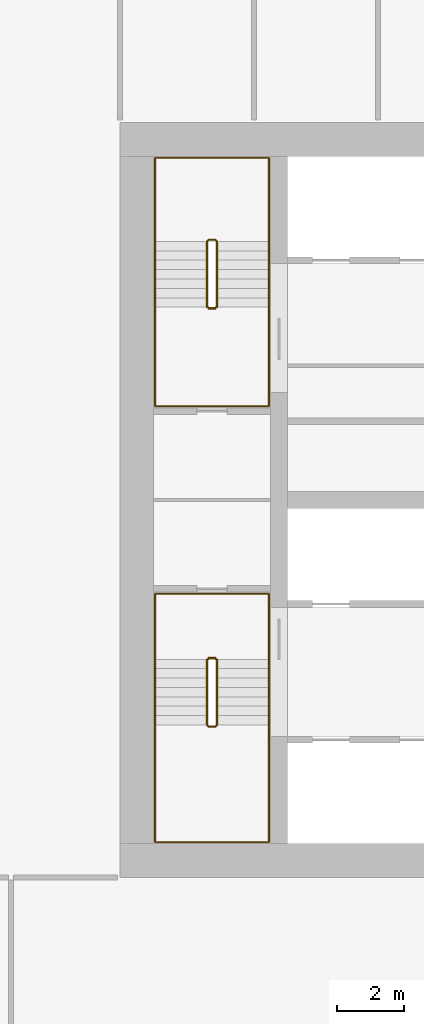
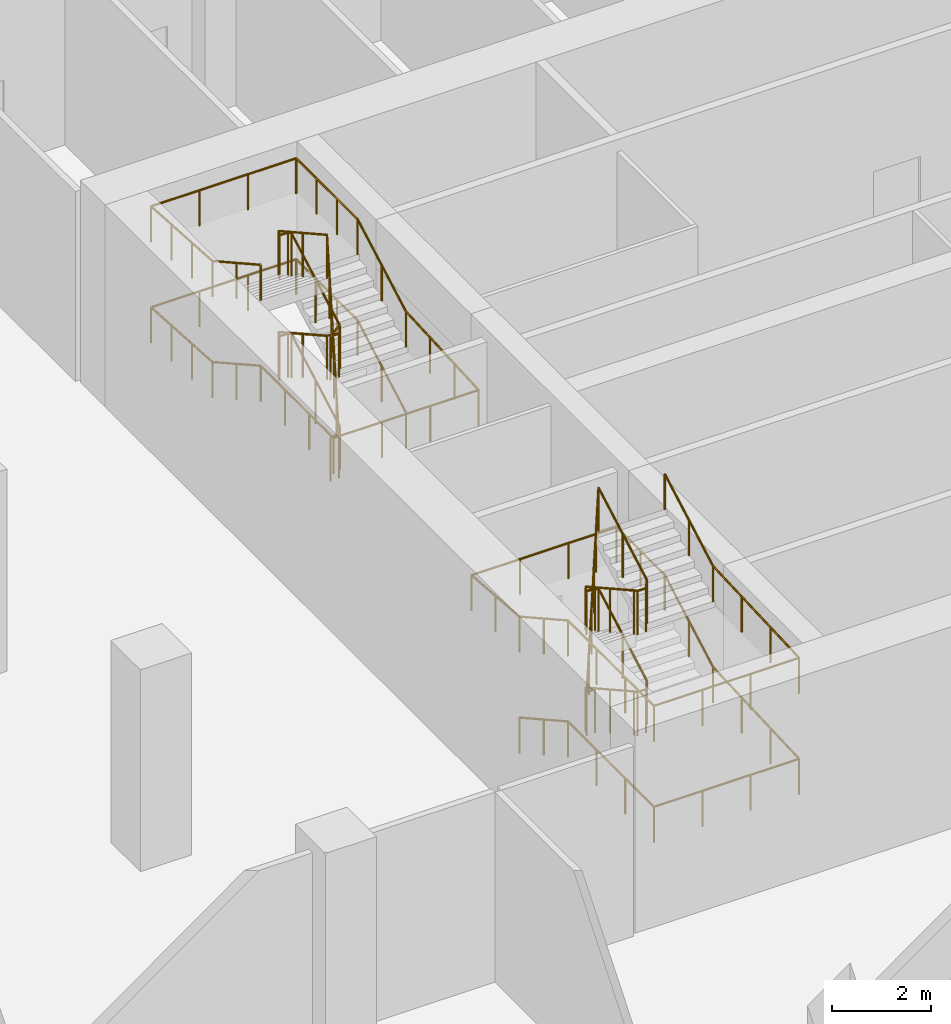
# One storey, part 22 of 32: 4 railings.
"""IFC4 building model written with IfcOpenShell, lengths in metres."""

from ifc_helpers import new_model, si_unit, direction, frame, origin, origin_2d, place, context, subcontext, project, spatial, circle, extrude, material, type_object, element, save


model = new_model("IFC4")

# Units and contexts
model_context = context("Model", 3, precision=1e-05, world=origin(), true_north=direction((0.0, 1.0)))
body_context = subcontext(model_context, "Body", "Model", "MODEL_VIEW")
ifc_project = project(units=[si_unit("LENGTHUNIT", "METRE"), si_unit("AREAUNIT", "SQUARE_METRE"), si_unit("VOLUMEUNIT", "CUBIC_METRE"), si_unit("PLANEANGLEUNIT", "RADIAN"), si_unit("MASSUNIT", "GRAM", prefix="KILO")], contexts=[model_context])

# Site, building, storey
site_placement = place(None, origin())
site = spatial("IfcSite", under=ifc_project, at=site_placement, CompositionType="ELEMENT")
building_placement = place(site_placement, origin())
building = spatial("IfcBuilding", under=site, at=building_placement, Name="Tamorin Gate", CompositionType="ELEMENT")
storey_placement = place(building_placement, frame((0.0, 0.0, 18.5)))
storey = spatial("IfcBuildingStorey", under=building, at=storey_placement, Name="L03", CompositionType="ELEMENT", Elevation=18.5)

# Railings
ifc_material_1 = material(Name="Painted steel balustrade", Category="steel")
railing_type_1 = type_object("IfcRailingType", Name="Stair guard 1100", PredefinedType="GUARDRAIL", material=ifc_material_1)
railing_1_placement = place(storey_placement, frame((32.60009765625, 66.5, 0.15625)))
element("IfcRailing", 1, at=railing_1_placement, inside=storey, type_object=railing_type_1, Name="L03 ST1 stair guard 1", PredefinedType="GUARDRAIL", context=body_context, shape_type="SweptSolid", body=[
    extrude(circle(Radius=0.02392578125, at=origin_2d()), frame((0.0, 0.0, 1.076171875), z_axis=(0.0, -0.873232148454, 0.487304437602), x_axis=(1.0, 0.0, 0.0)), (0.0, 0.0, 1.0), 2.244384765625),
    extrude(circle(Radius=0.02392578125, at=origin_2d()), frame((0.0, -1.9599609375, 2.169921875), z_axis=(0.705375805398, -0.708833529934, 0.0), x_axis=(0.708833529934, 0.705375805398, 0.0)), (0.0, 0.0, 1.0), 0.070556640625),
    extrude(circle(Radius=0.02392578125, at=origin_2d()), frame((0.0498046875, -2.010009765625, 2.169921875), z_axis=(1.0, 0.0, 0.0), x_axis=(0.0, 1.0, 0.0)), (0.0, 0.0, 1.0), 0.2001953125),
    extrude(circle(Radius=0.02392578125, at=origin_2d()), frame((0.25, -2.010009765625, 2.169921875), z_axis=(0.290469530425, 0.291893400672, 0.911276958196), x_axis=(-0.708833529934, 0.705375805398, 0.0)), (0.0, 0.0, 1.0), 0.17138671875),
    extrude(circle(Radius=0.02392578125, at=origin_2d()), frame((0.2998046875, -1.9599609375, 2.326171875), z_axis=(0.0, 0.873232148454, 0.487304437602), x_axis=(-1.0, 0.0, 0.0)), (0.0, 0.0, 1.0), 2.244384765625),
    extrude(circle(Radius=0.02392578125, at=origin_2d()), frame((0.2998046875, 0.0, 3.419921875), z_axis=(-0.98054382908, 0.196300278283, 0.0), x_axis=(-0.196300278283, -0.98054382908, 0.0)), (0.0, 0.0, 1.0), 0.2548828125),
    extrude(circle(Radius=0.02392578125, at=origin_2d()), frame((0.0498046875, 0.050048828125, 3.419921875), z_axis=(1.0, 0.0, 0.0), x_axis=(0.0, 1.0, 0.0)), (0.0, 0.0, 1.0), 0.2001953125),
    extrude(circle(Radius=0.02392578125, at=origin_2d()), frame((0.25, 0.050048828125, 3.419921875), z_axis=(-0.836036486302, -0.167370585637, 0.522522803939), x_axis=(0.196300278283, -0.98054382908, 0.0)), (0.0, 0.0, 1.0), 0.299072265625),
    extrude(circle(Radius=0.02392578125, at=origin_2d()), frame((0.0, 0.0, 3.576171875), z_axis=(0.0, -0.873232148454, 0.487304437602), x_axis=(1.0, 0.0, 0.0)), (0.0, 0.0, 1.0), 2.244384765625),
    extrude(circle(Radius=0.02392578125, at=origin_2d()), frame((0.0, -1.9599609375, 4.669921875), z_axis=(0.705375805398, -0.708833529934, 0.0), x_axis=(0.708833529934, 0.705375805398, 0.0)), (0.0, 0.0, 1.0), 0.070556640625),
    extrude(circle(Radius=0.02392578125, at=origin_2d()), frame((0.0498046875, -2.010009765625, 4.669921875), z_axis=(1.0, 0.0, 0.0), x_axis=(0.0, 1.0, 0.0)), (0.0, 0.0, 1.0), 0.2001953125),
    extrude(circle(Radius=0.02392578125, at=origin_2d()), frame((0.25, -2.010009765625, 4.669921875), z_axis=(0.290469530425, 0.291893400672, 0.911276958196), x_axis=(-0.708833529934, 0.705375805398, 0.0)), (0.0, 0.0, 1.0), 0.17138671875),
    extrude(circle(Radius=0.02392578125, at=origin_2d()), frame((0.2998046875, -1.9599609375, 4.826171875), z_axis=(0.0, 0.873232148454, 0.487304437602), x_axis=(-1.0, 0.0, 0.0)), (0.0, 0.0, 1.0), 2.244384765625),
    extrude(circle(Radius=0.02392578125, at=origin_2d()), frame((0.2998046875, 0.0, 5.919921875), z_axis=(-0.04993512161, 0.009996777275, -0.998702432196), x_axis=(-0.196300278283, -0.98054382908, 0.0)), (0.0, 0.0, 1.0), 5.006591796875),
    extrude(circle(Radius=0.02392578125, at=origin_2d()), frame((0.0498046875, 0.050048828125, 0.919921875), z_axis=(1.0, 0.0, 0.0), x_axis=(0.0, 1.0, 0.0)), (0.0, 0.0, 1.0), 0.2001953125),
    extrude(circle(Radius=0.02099609375, at=origin_2d()), origin(), (0.0, 0.0, 1.0), 1.052001953125),
    extrude(circle(Radius=0.02099609375, at=origin_2d()), frame((0.0, -0.97998046875, 0.546875)), (0.0, 0.0, 1.0), 1.052001953125),
    extrude(circle(Radius=0.02099609375, at=origin_2d()), frame((0.0, -1.9599609375, 1.09375)), (0.0, 0.0, 1.0), 1.052001953125),
    extrude(circle(Radius=0.02099609375, at=origin_2d()), frame((0.0498046875, -2.010009765625, 1.09375)), (0.0, 0.0, 1.0), 1.052001953125),
    extrude(circle(Radius=0.02099609375, at=origin_2d()), frame((0.25, -2.010009765625, 1.09375)), (0.0, 0.0, 1.0), 1.052001953125),
    extrude(circle(Radius=0.02099609375, at=origin_2d()), frame((0.2998046875, -1.9599609375, 1.25)), (0.0, 0.0, 1.0), 1.052001953125),
    extrude(circle(Radius=0.02099609375, at=origin_2d()), frame((0.2998046875, -0.97998046875, 1.796875)), (0.0, 0.0, 1.0), 1.052001953125),
    extrude(circle(Radius=0.02099609375, at=origin_2d()), frame((0.2998046875, 0.0, 2.34375)), (0.0, 0.0, 1.0), 1.052001953125),
    extrude(circle(Radius=0.02099609375, at=origin_2d()), frame((0.0498046875, 0.050048828125, 2.34375)), (0.0, 0.0, 1.0), 1.052001953125),
    extrude(circle(Radius=0.02099609375, at=origin_2d()), frame((0.25, 0.050048828125, 2.34375)), (0.0, 0.0, 1.0), 1.052001953125),
    extrude(circle(Radius=0.02099609375, at=origin_2d()), frame((0.0, 0.0, 2.5)), (0.0, 0.0, 1.0), 1.052001953125),
    extrude(circle(Radius=0.02099609375, at=origin_2d()), frame((0.0, -0.97998046875, 3.046875)), (0.0, 0.0, 1.0), 1.052001953125),
    extrude(circle(Radius=0.02099609375, at=origin_2d()), frame((0.0, -1.9599609375, 3.59375)), (0.0, 0.0, 1.0), 1.052001953125),
    extrude(circle(Radius=0.02099609375, at=origin_2d()), frame((0.0498046875, -2.010009765625, 3.59375)), (0.0, 0.0, 1.0), 1.052001953125),
    extrude(circle(Radius=0.02099609375, at=origin_2d()), frame((0.25, -2.010009765625, 3.59375)), (0.0, 0.0, 1.0), 1.052001953125),
    extrude(circle(Radius=0.02099609375, at=origin_2d()), frame((0.2998046875, -1.9599609375, 3.75)), (0.0, 0.0, 1.0), 1.052001953125),
    extrude(circle(Radius=0.02099609375, at=origin_2d()), frame((0.2998046875, -0.97998046875, 4.296875)), (0.0, 0.0, 1.0), 1.052001953125),
    extrude(circle(Radius=0.02099609375, at=origin_2d()), frame((0.2998046875, 0.0, 4.84375)), (0.0, 0.0, 1.0), 1.052001953125),
    extrude(circle(Radius=0.02099609375, at=origin_2d()), frame((0.249755859375, 0.010009765625, 3.84375)), (0.0, 0.0, 1.0), 1.052001953125),
    extrude(circle(Radius=0.02099609375, at=origin_2d()), frame((0.19970703125, 0.02001953125, 2.84375)), (0.0, 0.0, 1.0), 1.052001953125),
    extrude(circle(Radius=0.02099609375, at=origin_2d()), frame((0.14990234375, 0.030029296875, 1.84375)), (0.0, 0.0, 1.0), 1.052001953125),
    extrude(circle(Radius=0.02099609375, at=origin_2d()), frame((0.099853515625, 0.0400390625, 0.84375)), (0.0, 0.0, 1.0), 1.052001953125),
    extrude(circle(Radius=0.02099609375, at=origin_2d()), frame((0.0498046875, 0.050048828125, -0.15625)), (0.0, 0.0, 1.0), 1.052001953125),
    extrude(circle(Radius=0.02099609375, at=origin_2d()), frame((0.25, 0.050048828125, -0.15625)), (0.0, 0.0, 1.0), 1.052001953125),
])
railing_2_placement = place(storey_placement, frame((32.89990234375, 77.0, 0.15625)))
element("IfcRailing", 2, at=railing_2_placement, inside=storey, type_object=railing_type_1, Name="L03 ST2 stair guard 1", PredefinedType="GUARDRAIL", context=body_context, shape_type="SweptSolid", body=[
    extrude(circle(Radius=0.02392578125, at=origin_2d()), frame((0.0, 0.0, 1.076171875), z_axis=(0.0, 0.873232148454, 0.487304437602), x_axis=(-1.0, 0.0, 0.0)), (0.0, 0.0, 1.0), 2.244384765625),
    extrude(circle(Radius=0.02392578125, at=origin_2d()), frame((0.0, 1.9599609375, 2.169921875), z_axis=(-0.705375805398, 0.708833529934, 0.0), x_axis=(-0.708833529934, -0.705375805398, 0.0)), (0.0, 0.0, 1.0), 0.070556640625),
    extrude(circle(Radius=0.02392578125, at=origin_2d()), frame((-0.0498046875, 2.010009765625, 2.169921875), z_axis=(-1.0, 0.0, 0.0), x_axis=(0.0, -1.0, 0.0)), (0.0, 0.0, 1.0), 0.2001953125),
    extrude(circle(Radius=0.02392578125, at=origin_2d()), frame((-0.25, 2.010009765625, 2.169921875), z_axis=(-0.290469530425, -0.291893400672, 0.911276958196), x_axis=(0.708833529934, -0.705375805398, 0.0)), (0.0, 0.0, 1.0), 0.17138671875),
    extrude(circle(Radius=0.02392578125, at=origin_2d()), frame((-0.2998046875, 1.9599609375, 2.326171875), z_axis=(0.0, -0.873232148454, 0.487304437602), x_axis=(1.0, 0.0, 0.0)), (0.0, 0.0, 1.0), 2.244384765625),
    extrude(circle(Radius=0.02392578125, at=origin_2d()), frame((-0.2998046875, 0.0, 3.419921875), z_axis=(0.98054382908, -0.196300278283, 0.0), x_axis=(0.196300278283, 0.98054382908, 0.0)), (0.0, 0.0, 1.0), 0.2548828125),
    extrude(circle(Radius=0.02392578125, at=origin_2d()), frame((-0.0498046875, -0.050048828125, 3.419921875), z_axis=(-1.0, 0.0, 0.0), x_axis=(0.0, -1.0, 0.0)), (0.0, 0.0, 1.0), 0.2001953125),
    extrude(circle(Radius=0.02392578125, at=origin_2d()), frame((-0.25, -0.050048828125, 3.419921875), z_axis=(0.836036486302, 0.167370585637, 0.522522803939), x_axis=(-0.196300278283, 0.98054382908, 0.0)), (0.0, 0.0, 1.0), 0.299072265625),
    extrude(circle(Radius=0.02392578125, at=origin_2d()), frame((0.0, 0.0, 3.576171875), z_axis=(0.0, 0.873232148454, 0.487304437602), x_axis=(-1.0, 0.0, 0.0)), (0.0, 0.0, 1.0), 2.244384765625),
    extrude(circle(Radius=0.02392578125, at=origin_2d()), frame((0.0, 1.9599609375, 4.669921875), z_axis=(-0.705375805398, 0.708833529934, 0.0), x_axis=(-0.708833529934, -0.705375805398, 0.0)), (0.0, 0.0, 1.0), 0.070556640625),
    extrude(circle(Radius=0.02392578125, at=origin_2d()), frame((-0.0498046875, 2.010009765625, 4.669921875), z_axis=(-1.0, 0.0, 0.0), x_axis=(0.0, -1.0, 0.0)), (0.0, 0.0, 1.0), 0.2001953125),
    extrude(circle(Radius=0.02392578125, at=origin_2d()), frame((-0.25, 2.010009765625, 4.669921875), z_axis=(-0.290469530425, -0.291893400672, 0.911276958196), x_axis=(0.708833529934, -0.705375805398, 0.0)), (0.0, 0.0, 1.0), 0.17138671875),
    extrude(circle(Radius=0.02392578125, at=origin_2d()), frame((-0.2998046875, 1.9599609375, 4.826171875), z_axis=(0.0, -0.873232148454, 0.487304437602), x_axis=(1.0, 0.0, 0.0)), (0.0, 0.0, 1.0), 2.244384765625),
    extrude(circle(Radius=0.02392578125, at=origin_2d()), frame((-0.2998046875, 0.0, 5.919921875), z_axis=(0.04993512161, -0.009996777275, -0.998702432196), x_axis=(0.196300278283, 0.98054382908, 0.0)), (0.0, 0.0, 1.0), 5.006591796875),
    extrude(circle(Radius=0.02392578125, at=origin_2d()), frame((-0.0498046875, -0.050048828125, 0.919921875), z_axis=(-1.0, 0.0, 0.0), x_axis=(0.0, -1.0, 0.0)), (0.0, 0.0, 1.0), 0.2001953125),
    extrude(circle(Radius=0.02099609375, at=origin_2d()), origin(), (0.0, 0.0, 1.0), 1.052001953125),
    extrude(circle(Radius=0.02099609375, at=origin_2d()), frame((0.0, 0.97998046875, 0.546875)), (0.0, 0.0, 1.0), 1.052001953125),
    extrude(circle(Radius=0.02099609375, at=origin_2d()), frame((0.0, 1.9599609375, 1.09375)), (0.0, 0.0, 1.0), 1.052001953125),
    extrude(circle(Radius=0.02099609375, at=origin_2d()), frame((-0.0498046875, 2.010009765625, 1.09375)), (0.0, 0.0, 1.0), 1.052001953125),
    extrude(circle(Radius=0.02099609375, at=origin_2d()), frame((-0.25, 2.010009765625, 1.09375)), (0.0, 0.0, 1.0), 1.052001953125),
    extrude(circle(Radius=0.02099609375, at=origin_2d()), frame((-0.2998046875, 1.9599609375, 1.25)), (0.0, 0.0, 1.0), 1.052001953125),
    extrude(circle(Radius=0.02099609375, at=origin_2d()), frame((-0.2998046875, 0.97998046875, 1.796875)), (0.0, 0.0, 1.0), 1.052001953125),
    extrude(circle(Radius=0.02099609375, at=origin_2d()), frame((-0.2998046875, 0.0, 2.34375)), (0.0, 0.0, 1.0), 1.052001953125),
    extrude(circle(Radius=0.02099609375, at=origin_2d()), frame((-0.0498046875, -0.050048828125, 2.34375)), (0.0, 0.0, 1.0), 1.052001953125),
    extrude(circle(Radius=0.02099609375, at=origin_2d()), frame((-0.25, -0.050048828125, 2.34375)), (0.0, 0.0, 1.0), 1.052001953125),
    extrude(circle(Radius=0.02099609375, at=origin_2d()), frame((0.0, 0.0, 2.5)), (0.0, 0.0, 1.0), 1.052001953125),
    extrude(circle(Radius=0.02099609375, at=origin_2d()), frame((0.0, 0.97998046875, 3.046875)), (0.0, 0.0, 1.0), 1.052001953125),
    extrude(circle(Radius=0.02099609375, at=origin_2d()), frame((0.0, 1.9599609375, 3.59375)), (0.0, 0.0, 1.0), 1.052001953125),
    extrude(circle(Radius=0.02099609375, at=origin_2d()), frame((-0.0498046875, 2.010009765625, 3.59375)), (0.0, 0.0, 1.0), 1.052001953125),
    extrude(circle(Radius=0.02099609375, at=origin_2d()), frame((-0.25, 2.010009765625, 3.59375)), (0.0, 0.0, 1.0), 1.052001953125),
    extrude(circle(Radius=0.02099609375, at=origin_2d()), frame((-0.2998046875, 1.9599609375, 3.75)), (0.0, 0.0, 1.0), 1.052001953125),
    extrude(circle(Radius=0.02099609375, at=origin_2d()), frame((-0.2998046875, 0.97998046875, 4.296875)), (0.0, 0.0, 1.0), 1.052001953125),
    extrude(circle(Radius=0.02099609375, at=origin_2d()), frame((-0.2998046875, 0.0, 4.84375)), (0.0, 0.0, 1.0), 1.052001953125),
    extrude(circle(Radius=0.02099609375, at=origin_2d()), frame((-0.249755859375, -0.010009765625, 3.84375)), (0.0, 0.0, 1.0), 1.052001953125),
    extrude(circle(Radius=0.02099609375, at=origin_2d()), frame((-0.19970703125, -0.02001953125, 2.84375)), (0.0, 0.0, 1.0), 1.052001953125),
    extrude(circle(Radius=0.02099609375, at=origin_2d()), frame((-0.14990234375, -0.030029296875, 1.84375)), (0.0, 0.0, 1.0), 1.052001953125),
    extrude(circle(Radius=0.02099609375, at=origin_2d()), frame((-0.099853515625, -0.0400390625, 0.84375)), (0.0, 0.0, 1.0), 1.052001953125),
    extrude(circle(Radius=0.02099609375, at=origin_2d()), frame((-0.0498046875, -0.050048828125, -0.15625)), (0.0, 0.0, 1.0), 1.052001953125),
    extrude(circle(Radius=0.02099609375, at=origin_2d()), frame((-0.25, -0.050048828125, -0.15625)), (0.0, 0.0, 1.0), 1.052001953125),
])
ifc_material_2 = material(Name="Painted steel handrail", Category="steel")
railing_type_2 = type_object("IfcRailingType", Name="Stair handrail 900", PredefinedType="HANDRAIL", material=ifc_material_2)
railing_3_placement = place(storey_placement, frame((31.050048828125, 66.5, 0.15625)))
element("IfcRailing", 3, at=railing_3_placement, inside=storey, type_object=railing_type_2, Name="L03 ST1 stair handrail 1", PredefinedType="HANDRAIL", context=body_context, shape_type="SweptSolid", body=[
    extrude(circle(Radius=0.02392578125, at=origin_2d()), frame((0.0, 0.0, 0.8759765625), z_axis=(0.0, -0.873232148454, 0.487304437602), x_axis=(1.0, 0.0, 0.0)), (0.0, 0.0, 1.0), 2.244384765625),
    extrude(circle(Radius=0.02392578125, at=origin_2d()), frame((0.0, -1.9599609375, 1.9697265625), z_axis=(0.0, -1.0, 0.0), x_axis=(1.0, 0.0, 0.0)), (0.0, 0.0, 1.0), 3.489990234375),
    extrude(circle(Radius=0.02392578125, at=origin_2d()), frame((0.0, -5.449951171875, 1.9697265625), z_axis=(1.0, 0.0, 0.0), x_axis=(0.0, 1.0, 0.0)), (0.0, 0.0, 1.0), 3.39990234375),
    extrude(circle(Radius=0.02392578125, at=origin_2d()), frame((3.39990234375, -5.449951171875, 1.9697265625), z_axis=(0.0, 0.99899928745, 0.044726096115), x_axis=(-1.0, 0.0, 0.0)), (0.0, 0.0, 1.0), 3.493408203125),
    extrude(circle(Radius=0.02392578125, at=origin_2d()), frame((3.39990234375, -1.9599609375, 2.1259765625), z_axis=(0.0, 0.873232148454, 0.487304437602), x_axis=(-1.0, 0.0, 0.0)), (0.0, 0.0, 1.0), 2.244384765625),
    extrude(circle(Radius=0.02392578125, at=origin_2d()), frame((3.39990234375, 0.0, 3.2197265625), z_axis=(0.0, 1.0, 0.0), x_axis=(-1.0, 0.0, 0.0)), (0.0, 0.0, 1.0), 1.949951171875),
    extrude(circle(Radius=0.02392578125, at=origin_2d()), frame((3.39990234375, 1.949951171875, 3.2197265625), z_axis=(-1.0, 0.0, 0.0), x_axis=(0.0, -1.0, 0.0)), (0.0, 0.0, 1.0), 3.39990234375),
    extrude(circle(Radius=0.02392578125, at=origin_2d()), frame((0.0, 1.949951171875, 3.2197265625), z_axis=(0.0, -0.996804952581, 0.079874191768), x_axis=(1.0, 0.0, 0.0)), (0.0, 0.0, 1.0), 1.956298828125),
    extrude(circle(Radius=0.02392578125, at=origin_2d()), frame((0.0, 0.0, 3.3759765625), z_axis=(0.0, -0.873232148454, 0.487304437602), x_axis=(1.0, 0.0, 0.0)), (0.0, 0.0, 1.0), 2.244384765625),
    extrude(circle(Radius=0.02392578125, at=origin_2d()), frame((0.0, -1.9599609375, 4.4697265625), z_axis=(0.0, -1.0, 0.0), x_axis=(1.0, 0.0, 0.0)), (0.0, 0.0, 1.0), 3.489990234375),
    extrude(circle(Radius=0.02392578125, at=origin_2d()), frame((0.0, -5.449951171875, 4.4697265625), z_axis=(1.0, 0.0, 0.0), x_axis=(0.0, 1.0, 0.0)), (0.0, 0.0, 1.0), 3.39990234375),
    extrude(circle(Radius=0.02392578125, at=origin_2d()), frame((3.39990234375, -5.449951171875, 4.4697265625), z_axis=(0.0, 0.99899928745, 0.044726096115), x_axis=(-1.0, 0.0, 0.0)), (0.0, 0.0, 1.0), 3.493408203125),
    extrude(circle(Radius=0.02392578125, at=origin_2d()), frame((3.39990234375, -1.9599609375, 4.6259765625), z_axis=(0.0, 0.873232148454, 0.487304437602), x_axis=(-1.0, 0.0, 0.0)), (0.0, 0.0, 1.0), 2.244384765625),
    extrude(circle(Radius=0.02099609375, at=origin_2d()), origin(), (0.0, 0.0, 1.0), 0.851806640625),
    extrude(circle(Radius=0.02099609375, at=origin_2d()), frame((0.0, -0.97998046875, 0.546875)), (0.0, 0.0, 1.0), 0.851806640625),
    extrude(circle(Radius=0.02099609375, at=origin_2d()), frame((0.0, -1.9599609375, 1.09375)), (0.0, 0.0, 1.0), 0.851806640625),
    extrude(circle(Radius=0.02099609375, at=origin_2d()), frame((0.0, -3.123291015625, 1.09375)), (0.0, 0.0, 1.0), 0.851806640625),
    extrude(circle(Radius=0.02099609375, at=origin_2d()), frame((0.0, -4.28662109375, 1.09375)), (0.0, 0.0, 1.0), 0.851806640625),
    extrude(circle(Radius=0.02099609375, at=origin_2d()), frame((0.0, -5.449951171875, 1.09375)), (0.0, 0.0, 1.0), 0.851806640625),
    extrude(circle(Radius=0.02099609375, at=origin_2d()), frame((1.13330078125, -5.449951171875, 1.09375)), (0.0, 0.0, 1.0), 0.851806640625),
    extrude(circle(Radius=0.02099609375, at=origin_2d()), frame((2.2666015625, -5.449951171875, 1.09375)), (0.0, 0.0, 1.0), 0.851806640625),
    extrude(circle(Radius=0.02099609375, at=origin_2d()), frame((3.39990234375, -5.449951171875, 1.09375)), (0.0, 0.0, 1.0), 0.851806640625),
    extrude(circle(Radius=0.02099609375, at=origin_2d()), frame((3.39990234375, -4.28662109375, 1.145751953125)), (0.0, 0.0, 1.0), 0.851806640625),
    extrude(circle(Radius=0.02099609375, at=origin_2d()), frame((3.39990234375, -3.123291015625, 1.197998046875)), (0.0, 0.0, 1.0), 0.851806640625),
    extrude(circle(Radius=0.02099609375, at=origin_2d()), frame((3.39990234375, -1.9599609375, 1.25)), (0.0, 0.0, 1.0), 0.851806640625),
    extrude(circle(Radius=0.02099609375, at=origin_2d()), frame((3.39990234375, -0.97998046875, 1.796875)), (0.0, 0.0, 1.0), 0.851806640625),
    extrude(circle(Radius=0.02099609375, at=origin_2d()), frame((3.39990234375, 0.0, 2.34375)), (0.0, 0.0, 1.0), 0.851806640625),
    extrude(circle(Radius=0.02099609375, at=origin_2d()), frame((3.39990234375, 0.97509765625, 2.34375)), (0.0, 0.0, 1.0), 0.851806640625),
    extrude(circle(Radius=0.02099609375, at=origin_2d()), frame((3.39990234375, 1.949951171875, 2.34375)), (0.0, 0.0, 1.0), 0.851806640625),
    extrude(circle(Radius=0.02099609375, at=origin_2d()), frame((2.2666015625, 1.949951171875, 2.34375)), (0.0, 0.0, 1.0), 0.851806640625),
    extrude(circle(Radius=0.02099609375, at=origin_2d()), frame((1.13330078125, 1.949951171875, 2.34375)), (0.0, 0.0, 1.0), 0.851806640625),
    extrude(circle(Radius=0.02099609375, at=origin_2d()), frame((0.0, 1.949951171875, 2.34375)), (0.0, 0.0, 1.0), 0.851806640625),
    extrude(circle(Radius=0.02099609375, at=origin_2d()), frame((0.0, 0.97509765625, 2.421875)), (0.0, 0.0, 1.0), 0.851806640625),
    extrude(circle(Radius=0.02099609375, at=origin_2d()), frame((0.0, 0.0, 2.5)), (0.0, 0.0, 1.0), 0.851806640625),
    extrude(circle(Radius=0.02099609375, at=origin_2d()), frame((0.0, -0.97998046875, 3.046875)), (0.0, 0.0, 1.0), 0.851806640625),
    extrude(circle(Radius=0.02099609375, at=origin_2d()), frame((0.0, -1.9599609375, 3.59375)), (0.0, 0.0, 1.0), 0.851806640625),
    extrude(circle(Radius=0.02099609375, at=origin_2d()), frame((0.0, -3.123291015625, 3.59375)), (0.0, 0.0, 1.0), 0.851806640625),
    extrude(circle(Radius=0.02099609375, at=origin_2d()), frame((0.0, -4.28662109375, 3.59375)), (0.0, 0.0, 1.0), 0.851806640625),
    extrude(circle(Radius=0.02099609375, at=origin_2d()), frame((0.0, -5.449951171875, 3.59375)), (0.0, 0.0, 1.0), 0.851806640625),
    extrude(circle(Radius=0.02099609375, at=origin_2d()), frame((1.13330078125, -5.449951171875, 3.59375)), (0.0, 0.0, 1.0), 0.851806640625),
    extrude(circle(Radius=0.02099609375, at=origin_2d()), frame((2.2666015625, -5.449951171875, 3.59375)), (0.0, 0.0, 1.0), 0.851806640625),
    extrude(circle(Radius=0.02099609375, at=origin_2d()), frame((3.39990234375, -5.449951171875, 3.59375)), (0.0, 0.0, 1.0), 0.851806640625),
    extrude(circle(Radius=0.02099609375, at=origin_2d()), frame((3.39990234375, -4.28662109375, 3.645751953125)), (0.0, 0.0, 1.0), 0.851806640625),
    extrude(circle(Radius=0.02099609375, at=origin_2d()), frame((3.39990234375, -3.123291015625, 3.697998046875)), (0.0, 0.0, 1.0), 0.851806640625),
    extrude(circle(Radius=0.02099609375, at=origin_2d()), frame((3.39990234375, -1.9599609375, 3.75)), (0.0, 0.0, 1.0), 0.851806640625),
    extrude(circle(Radius=0.02099609375, at=origin_2d()), frame((3.39990234375, -0.97998046875, 4.296875)), (0.0, 0.0, 1.0), 0.851806640625),
    extrude(circle(Radius=0.02099609375, at=origin_2d()), frame((3.39990234375, 0.0, 4.84375)), (0.0, 0.0, 1.0), 0.851806640625),
])
railing_4_placement = place(storey_placement, frame((34.449951171875, 77.0, 0.15625)))
element("IfcRailing", 4, at=railing_4_placement, inside=storey, type_object=railing_type_2, Name="L03 ST2 stair handrail 1", PredefinedType="HANDRAIL", context=body_context, shape_type="SweptSolid", body=[
    extrude(circle(Radius=0.02392578125, at=origin_2d()), frame((0.0, 0.0, 0.8759765625), z_axis=(0.0, 0.873232148454, 0.487304437602), x_axis=(-1.0, 0.0, 0.0)), (0.0, 0.0, 1.0), 2.244384765625),
    extrude(circle(Radius=0.02392578125, at=origin_2d()), frame((0.0, 1.9599609375, 1.9697265625), z_axis=(0.0, 1.0, 0.0), x_axis=(-1.0, 0.0, 0.0)), (0.0, 0.0, 1.0), 2.489990234375),
    extrude(circle(Radius=0.02392578125, at=origin_2d()), frame((0.0, 4.449951171875, 1.9697265625), z_axis=(-1.0, 0.0, 0.0), x_axis=(0.0, -1.0, 0.0)), (0.0, 0.0, 1.0), 3.39990234375),
    extrude(circle(Radius=0.02392578125, at=origin_2d()), frame((-3.39990234375, 4.449951171875, 1.9697265625), z_axis=(0.0, -0.998036935902, 0.062628065396), x_axis=(1.0, 0.0, 0.0)), (0.0, 0.0, 1.0), 2.494873046875),
    extrude(circle(Radius=0.02392578125, at=origin_2d()), frame((-3.39990234375, 1.9599609375, 2.1259765625), z_axis=(0.0, -0.873232148454, 0.487304437602), x_axis=(1.0, 0.0, 0.0)), (0.0, 0.0, 1.0), 2.244384765625),
    extrude(circle(Radius=0.02392578125, at=origin_2d()), frame((-3.39990234375, 0.0, 3.2197265625), z_axis=(0.0, -1.0, 0.0), x_axis=(1.0, 0.0, 0.0)), (0.0, 0.0, 1.0), 2.949951171875),
    extrude(circle(Radius=0.02392578125, at=origin_2d()), frame((-3.39990234375, -2.949951171875, 3.2197265625), z_axis=(1.0, 0.0, 0.0), x_axis=(0.0, 1.0, 0.0)), (0.0, 0.0, 1.0), 3.39990234375),
    extrude(circle(Radius=0.02392578125, at=origin_2d()), frame((0.0, -2.949951171875, 3.2197265625), z_axis=(0.0, 0.998600194279, 0.05289283492), x_axis=(-1.0, 0.0, 0.0)), (0.0, 0.0, 1.0), 2.9541015625),
    extrude(circle(Radius=0.02392578125, at=origin_2d()), frame((0.0, 0.0, 3.3759765625), z_axis=(0.0, 0.873232148454, 0.487304437602), x_axis=(-1.0, 0.0, 0.0)), (0.0, 0.0, 1.0), 2.244384765625),
    extrude(circle(Radius=0.02392578125, at=origin_2d()), frame((0.0, 1.9599609375, 4.4697265625), z_axis=(0.0, 1.0, 0.0), x_axis=(-1.0, 0.0, 0.0)), (0.0, 0.0, 1.0), 2.489990234375),
    extrude(circle(Radius=0.02392578125, at=origin_2d()), frame((0.0, 4.449951171875, 4.4697265625), z_axis=(-1.0, 0.0, 0.0), x_axis=(0.0, -1.0, 0.0)), (0.0, 0.0, 1.0), 3.39990234375),
    extrude(circle(Radius=0.02392578125, at=origin_2d()), frame((-3.39990234375, 4.449951171875, 4.4697265625), z_axis=(0.0, -0.998036935902, 0.062628065396), x_axis=(1.0, 0.0, 0.0)), (0.0, 0.0, 1.0), 2.494873046875),
    extrude(circle(Radius=0.02392578125, at=origin_2d()), frame((-3.39990234375, 1.9599609375, 4.6259765625), z_axis=(0.0, -0.873232148454, 0.487304437602), x_axis=(1.0, 0.0, 0.0)), (0.0, 0.0, 1.0), 2.244384765625),
    extrude(circle(Radius=0.02099609375, at=origin_2d()), origin(), (0.0, 0.0, 1.0), 0.851806640625),
    extrude(circle(Radius=0.02099609375, at=origin_2d()), frame((0.0, 0.97998046875, 0.546875)), (0.0, 0.0, 1.0), 0.851806640625),
    extrude(circle(Radius=0.02099609375, at=origin_2d()), frame((0.0, 1.9599609375, 1.09375)), (0.0, 0.0, 1.0), 0.851806640625),
    extrude(circle(Radius=0.02099609375, at=origin_2d()), frame((0.0, 2.7900390625, 1.09375)), (0.0, 0.0, 1.0), 0.851806640625),
    extrude(circle(Radius=0.02099609375, at=origin_2d()), frame((0.0, 3.619873046875, 1.09375)), (0.0, 0.0, 1.0), 0.851806640625),
    extrude(circle(Radius=0.02099609375, at=origin_2d()), frame((0.0, 4.449951171875, 1.09375)), (0.0, 0.0, 1.0), 0.851806640625),
    extrude(circle(Radius=0.02099609375, at=origin_2d()), frame((-1.13330078125, 4.449951171875, 1.09375)), (0.0, 0.0, 1.0), 0.851806640625),
    extrude(circle(Radius=0.02099609375, at=origin_2d()), frame((-2.2666015625, 4.449951171875, 1.09375)), (0.0, 0.0, 1.0), 0.851806640625),
    extrude(circle(Radius=0.02099609375, at=origin_2d()), frame((-3.39990234375, 4.449951171875, 1.09375)), (0.0, 0.0, 1.0), 0.851806640625),
    extrude(circle(Radius=0.02099609375, at=origin_2d()), frame((-3.39990234375, 3.619873046875, 1.145751953125)), (0.0, 0.0, 1.0), 0.851806640625),
    extrude(circle(Radius=0.02099609375, at=origin_2d()), frame((-3.39990234375, 2.7900390625, 1.197998046875)), (0.0, 0.0, 1.0), 0.851806640625),
    extrude(circle(Radius=0.02099609375, at=origin_2d()), frame((-3.39990234375, 1.9599609375, 1.25)), (0.0, 0.0, 1.0), 0.851806640625),
    extrude(circle(Radius=0.02099609375, at=origin_2d()), frame((-3.39990234375, 0.97998046875, 1.796875)), (0.0, 0.0, 1.0), 0.851806640625),
    extrude(circle(Radius=0.02099609375, at=origin_2d()), frame((-3.39990234375, 0.0, 2.34375)), (0.0, 0.0, 1.0), 0.851806640625),
    extrude(circle(Radius=0.02099609375, at=origin_2d()), frame((-3.39990234375, -0.9833984375, 2.34375)), (0.0, 0.0, 1.0), 0.851806640625),
    extrude(circle(Radius=0.02099609375, at=origin_2d()), frame((-3.39990234375, -1.966552734375, 2.34375)), (0.0, 0.0, 1.0), 0.851806640625),
    extrude(circle(Radius=0.02099609375, at=origin_2d()), frame((-3.39990234375, -2.949951171875, 2.34375)), (0.0, 0.0, 1.0), 0.851806640625),
    extrude(circle(Radius=0.02099609375, at=origin_2d()), frame((-2.2666015625, -2.949951171875, 2.34375)), (0.0, 0.0, 1.0), 0.851806640625),
    extrude(circle(Radius=0.02099609375, at=origin_2d()), frame((-1.13330078125, -2.949951171875, 2.34375)), (0.0, 0.0, 1.0), 0.851806640625),
    extrude(circle(Radius=0.02099609375, at=origin_2d()), frame((0.0, -2.949951171875, 2.34375)), (0.0, 0.0, 1.0), 0.851806640625),
    extrude(circle(Radius=0.02099609375, at=origin_2d()), frame((0.0, -1.966552734375, 2.395751953125)), (0.0, 0.0, 1.0), 0.851806640625),
    extrude(circle(Radius=0.02099609375, at=origin_2d()), frame((0.0, -0.9833984375, 2.447998046875)), (0.0, 0.0, 1.0), 0.851806640625),
    extrude(circle(Radius=0.02099609375, at=origin_2d()), frame((0.0, 0.0, 2.5)), (0.0, 0.0, 1.0), 0.851806640625),
    extrude(circle(Radius=0.02099609375, at=origin_2d()), frame((0.0, 0.97998046875, 3.046875)), (0.0, 0.0, 1.0), 0.851806640625),
    extrude(circle(Radius=0.02099609375, at=origin_2d()), frame((0.0, 1.9599609375, 3.59375)), (0.0, 0.0, 1.0), 0.851806640625),
    extrude(circle(Radius=0.02099609375, at=origin_2d()), frame((0.0, 2.7900390625, 3.59375)), (0.0, 0.0, 1.0), 0.851806640625),
    extrude(circle(Radius=0.02099609375, at=origin_2d()), frame((0.0, 3.619873046875, 3.59375)), (0.0, 0.0, 1.0), 0.851806640625),
    extrude(circle(Radius=0.02099609375, at=origin_2d()), frame((0.0, 4.449951171875, 3.59375)), (0.0, 0.0, 1.0), 0.851806640625),
    extrude(circle(Radius=0.02099609375, at=origin_2d()), frame((-1.13330078125, 4.449951171875, 3.59375)), (0.0, 0.0, 1.0), 0.851806640625),
    extrude(circle(Radius=0.02099609375, at=origin_2d()), frame((-2.2666015625, 4.449951171875, 3.59375)), (0.0, 0.0, 1.0), 0.851806640625),
    extrude(circle(Radius=0.02099609375, at=origin_2d()), frame((-3.39990234375, 4.449951171875, 3.59375)), (0.0, 0.0, 1.0), 0.851806640625),
    extrude(circle(Radius=0.02099609375, at=origin_2d()), frame((-3.39990234375, 3.619873046875, 3.645751953125)), (0.0, 0.0, 1.0), 0.851806640625),
    extrude(circle(Radius=0.02099609375, at=origin_2d()), frame((-3.39990234375, 2.7900390625, 3.697998046875)), (0.0, 0.0, 1.0), 0.851806640625),
    extrude(circle(Radius=0.02099609375, at=origin_2d()), frame((-3.39990234375, 1.9599609375, 3.75)), (0.0, 0.0, 1.0), 0.851806640625),
    extrude(circle(Radius=0.02099609375, at=origin_2d()), frame((-3.39990234375, 0.97998046875, 4.296875)), (0.0, 0.0, 1.0), 0.851806640625),
    extrude(circle(Radius=0.02099609375, at=origin_2d()), frame((-3.39990234375, 0.0, 4.84375)), (0.0, 0.0, 1.0), 0.851806640625),
])

save(model, "model.ifc")
